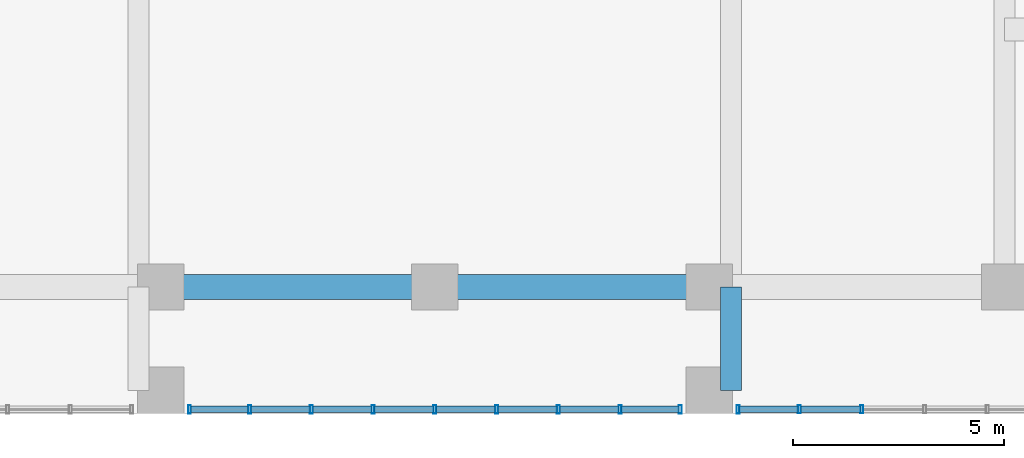
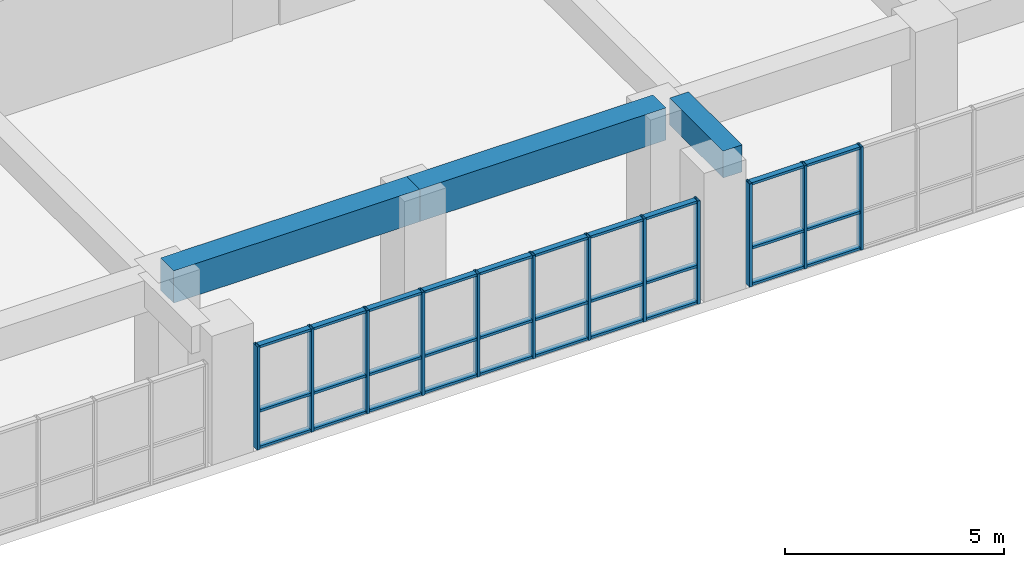
# One storey, part 6 of 30: 42 members, 3 beams, 2 elements without a shape of their own.
"""IFC4 building model written with IfcOpenShell, lengths in metres."""

from ifc_helpers import new_model, si_unit, direction, frame, origin, origin_2d, place, context, subcontext, project, spatial, rectangle, hollow_rectangle, extrude, source, transform, mapped, material, layer, layer_set, material_profile, profile_set, type_object, element, aggregate, save


model = new_model("IFC4")

# Units and contexts
model_context = context("Model", 3, precision=1e-05, world=origin(), true_north=direction((0.0, 1.0)))
body_context = subcontext(model_context, "Body", "Model", "MODEL_VIEW")
ifc_project = project(units=[si_unit("LENGTHUNIT", "METRE"), si_unit("AREAUNIT", "SQUARE_METRE"), si_unit("VOLUMEUNIT", "CUBIC_METRE"), si_unit("PLANEANGLEUNIT", "RADIAN"), si_unit("MASSUNIT", "GRAM", prefix="KILO")], contexts=[model_context])

# Site, building, storey
site_placement = place(None, origin())
site = spatial("IfcSite", under=ifc_project, at=site_placement, CompositionType="ELEMENT")
building_placement = place(site_placement, origin())
building = spatial("IfcBuilding", under=site, at=building_placement, Name="Saelheon Loggia Tower", CompositionType="ELEMENT")
storey_placement = place(building_placement, frame((0.0, 0.0, 11.39990234375)))
storey = spatial("IfcBuildingStorey", under=building, at=storey_placement, Name="L03", CompositionType="ELEMENT", Elevation=11.39990234375)

# Beams
ifc_material_1 = material(Name="Concrete C50/60", Category="concrete")
ifc_material_profile_1 = material_profile(ifc_material_1, rectangle(XDim=0.60009765625, YDim=0.89990234375, at=origin_2d()), Name="RC-600x900")
ifc_profile_set_1 = profile_set([ifc_material_profile_1], Name="Concrete C50/60")
beam_type_1 = type_object("IfcBeamType", Name="Beam_MainGirder_RC600x900", PredefinedType="BEAM", material=ifc_profile_set_1)
shared_shape_1 = source(origin(), body_context, "Body", "SweptSolid", [
    extrude(rectangle(XDim=0.60009765625, YDim=0.89990234375, at=origin_2d()), origin(), (0.0, 0.0, 1.0), 6.5),
])
for number, where, z_axis, x_axis, name in (
    (1, (31.5, 3.0, 3.150146484375), (1.0, 0.0, 0.0), (0.0, 1.0, 0.0), "BM-L03-EW-3-4"),
    (2, (38.0, 3.0, 3.150146484375), (1.0, 0.0, 0.0), (0.0, 1.0, 0.0), "BM-L03-EW-3-5"),
):
    element("IfcBeam", number, at=place(storey_placement, frame(where, z_axis=z_axis, x_axis=x_axis)), inside=storey, type_object=beam_type_1, Name=name, PredefinedType="BEAM", context=body_context, shape_type="MappedRepresentation", body=[
        mapped(shared_shape_1, transform((0.0, 0.0, 0.0), scale=1.0)),
    ])
ifc_material_2 = material(Name="Concrete C45/55", Category="concrete")
ifc_material_profile_2 = material_profile(ifc_material_2, rectangle(XDim=0.5, YDim=0.75, at=origin_2d()), Name="RC-500x750")
ifc_profile_set_2 = profile_set([ifc_material_profile_2], Name="Concrete C45/55")
beam_type_2 = type_object("IfcBeamType", Name="Beam_FloorGirder_RC500x750", PredefinedType="BEAM", material=ifc_profile_set_2)
shared_shape_2 = source(origin(), body_context, "Body", "SweptSolid", [
    extrude(rectangle(XDim=0.5, YDim=0.75, at=origin_2d()), origin(), (0.0, 0.0, 1.0), 2.449951171875),
])
beam_placement = place(storey_placement, frame((45.02001953125, 0.550048828125, 3.22509765625), z_axis=(0.0, 1.0, 0.0), x_axis=(-1.0, 0.0, 0.0)))
element("IfcBeam", 3, at=beam_placement, inside=storey, type_object=beam_type_2, Name="BM-L03-NS-45-1", PredefinedType="BEAM", context=body_context, shape_type="MappedRepresentation", body=[
    mapped(shared_shape_2, transform((0.0, 0.0, 0.0), scale=1.0)),
])

# Curtain wall, members
ifc_material_3 = material(Name="Aluminium 6063-T6 and Low-E IGU", Category="aluminium")
ifc_layer = layer(ifc_material_3, 0.179931640625)
ifc_layer_set = layer_set([ifc_layer], Name="Aluminium 6063-T6 and Low-E IGU")
curtain_wall_type = type_object("IfcCurtainWallType", Name="CW_PodiumClinic", PredefinedType="NOTDEFINED", material=ifc_layer_set)
curtain_wall_1_placement = place(storey_placement, origin())
curtain_wall_1 = element("IfcCurtainWall", 4, at=curtain_wall_1_placement, inside=storey, type_object=curtain_wall_type, Name="L03 South Clinic Curtain Wall 2", PredefinedType="NOTDEFINED")
ifc_material_4 = material(Name="Anodised Aluminium 6063-T6", Category="aluminium")
ifc_material_profile_3 = material_profile(ifc_material_4, hollow_rectangle(XDim=0.070068359375, YDim=0.199951171875, WallThickness=0.0048828125, at=origin_2d()), Name="RHS-200x70x5")
ifc_profile_set_3 = profile_set([ifc_material_profile_3], Name="Anodised Aluminium 6063-T6")
member_type_1 = type_object("IfcMemberType", Name="CW_PodiumClinic_Mullion", PredefinedType="MULLION", material=ifc_profile_set_3)
shared_shape_3 = source(origin(), body_context, "Body", "SweptSolid", [
    extrude(hollow_rectangle(XDim=0.070068359375, YDim=0.199951171875, WallThickness=0.0048828125, at=origin_2d()), origin(), (0.0, 0.0, 1.0), 2.880126953125),
])
member_1_placement = place(storey_placement, frame((32.18505859375, 0.10009765625, 0.0), z_axis=(0.0, 0.0, 1.0), x_axis=(1.0, 0.0, 0.0)))
member_1 = element("IfcMember", 5, at=member_1_placement, type_object=member_type_1, Name="CW1 mullion 1", PredefinedType="MULLION", context=body_context, shape_type="MappedRepresentation", body=[
    mapped(shared_shape_3, transform((0.0, 0.0, 0.0), scale=1.0)),
])
member_2_placement = place(storey_placement, frame((33.612548828125, 0.10009765625, 0.0), z_axis=(0.0, 0.0, 1.0), x_axis=(1.0, 0.0, 0.0)))
member_2 = element("IfcMember", 6, at=member_2_placement, type_object=member_type_1, Name="CW1 mullion 2", PredefinedType="MULLION", context=body_context, shape_type="MappedRepresentation", body=[
    mapped(shared_shape_3, transform((0.0, 0.0, 0.0), scale=1.0)),
])
member_3_placement = place(storey_placement, frame((35.074951171875, 0.10009765625, 0.0), z_axis=(0.0, 0.0, 1.0), x_axis=(1.0, 0.0, 0.0)))
member_3 = element("IfcMember", 7, at=member_3_placement, type_object=member_type_1, Name="CW1 mullion 3", PredefinedType="MULLION", context=body_context, shape_type="MappedRepresentation", body=[
    mapped(shared_shape_3, transform((0.0, 0.0, 0.0), scale=1.0)),
])
member_4_placement = place(storey_placement, frame((36.53759765625, 0.10009765625, 0.0), z_axis=(0.0, 0.0, 1.0), x_axis=(1.0, 0.0, 0.0)))
member_4 = element("IfcMember", 8, at=member_4_placement, type_object=member_type_1, Name="CW1 mullion 4", PredefinedType="MULLION", context=body_context, shape_type="MappedRepresentation", body=[
    mapped(shared_shape_3, transform((0.0, 0.0, 0.0), scale=1.0)),
])
member_5_placement = place(storey_placement, frame((38.0, 0.10009765625, 0.0), z_axis=(0.0, 0.0, 1.0), x_axis=(1.0, 0.0, 0.0)))
member_5 = element("IfcMember", 9, at=member_5_placement, type_object=member_type_1, Name="CW1 mullion 5", PredefinedType="MULLION", context=body_context, shape_type="MappedRepresentation", body=[
    mapped(shared_shape_3, transform((0.0, 0.0, 0.0), scale=1.0)),
])
member_6_placement = place(storey_placement, frame((39.46240234375, 0.10009765625, 0.0), z_axis=(0.0, 0.0, 1.0), x_axis=(1.0, 0.0, 0.0)))
member_6 = element("IfcMember", 10, at=member_6_placement, type_object=member_type_1, Name="CW1 mullion 6", PredefinedType="MULLION", context=body_context, shape_type="MappedRepresentation", body=[
    mapped(shared_shape_3, transform((0.0, 0.0, 0.0), scale=1.0)),
])
member_7_placement = place(storey_placement, frame((40.925048828125, 0.10009765625, 0.0), z_axis=(0.0, 0.0, 1.0), x_axis=(1.0, 0.0, 0.0)))
member_7 = element("IfcMember", 11, at=member_7_placement, type_object=member_type_1, Name="CW1 mullion 7", PredefinedType="MULLION", context=body_context, shape_type="MappedRepresentation", body=[
    mapped(shared_shape_3, transform((0.0, 0.0, 0.0), scale=1.0)),
])
member_8_placement = place(storey_placement, frame((42.387451171875, 0.10009765625, 0.0), z_axis=(0.0, 0.0, 1.0), x_axis=(1.0, 0.0, 0.0)))
member_8 = element("IfcMember", 12, at=member_8_placement, type_object=member_type_1, Name="CW1 mullion 8", PredefinedType="MULLION", context=body_context, shape_type="MappedRepresentation", body=[
    mapped(shared_shape_3, transform((0.0, 0.0, 0.0), scale=1.0)),
])
member_9_placement = place(storey_placement, frame((43.81494140625, 0.10009765625, 0.0), z_axis=(0.0, 0.0, 1.0), x_axis=(1.0, 0.0, 0.0)))
member_9 = element("IfcMember", 13, at=member_9_placement, type_object=member_type_1, Name="CW1 mullion 9", PredefinedType="MULLION", context=body_context, shape_type="MappedRepresentation", body=[
    mapped(shared_shape_3, transform((0.0, 0.0, 0.0), scale=1.0)),
])

curtain_wall_2_placement = place(storey_placement, origin())
curtain_wall_2 = element("IfcCurtainWall", 14, at=curtain_wall_2_placement, inside=storey, type_object=curtain_wall_type, Name="L03 South Clinic Curtain Wall 3", PredefinedType="NOTDEFINED")
member_10_placement = place(storey_placement, frame((45.18505859375, 0.10009765625, 0.0), z_axis=(0.0, 0.0, 1.0), x_axis=(1.0, 0.0, 0.0)))
member_10 = element("IfcMember", 15, at=member_10_placement, type_object=member_type_1, Name="CW1 mullion 1", PredefinedType="MULLION", context=body_context, shape_type="MappedRepresentation", body=[
    mapped(shared_shape_3, transform((0.0, 0.0, 0.0), scale=1.0)),
])
member_11_placement = place(storey_placement, frame((46.635009765625, 0.10009765625, 0.0), z_axis=(0.0, 0.0, 1.0), x_axis=(1.0, 0.0, 0.0)))
member_11 = element("IfcMember", 16, at=member_11_placement, type_object=member_type_1, Name="CW1 mullion 2", PredefinedType="MULLION", context=body_context, shape_type="MappedRepresentation", body=[
    mapped(shared_shape_3, transform((0.0, 0.0, 0.0), scale=1.0)),
])
member_12_placement = place(storey_placement, frame((48.1201171875, 0.10009765625, 0.0), z_axis=(0.0, 0.0, 1.0), x_axis=(1.0, 0.0, 0.0)))
member_12 = element("IfcMember", 17, at=member_12_placement, type_object=member_type_1, Name="CW1 mullion 3", PredefinedType="MULLION", context=body_context, shape_type="MappedRepresentation", body=[
    mapped(shared_shape_3, transform((0.0, 0.0, 0.0), scale=1.0)),
])
ifc_material_profile_4 = material_profile(ifc_material_4, hollow_rectangle(XDim=0.070068359375, YDim=0.14990234375, WallThickness=0.0048828125, at=origin_2d()), Name="RHS-150x70x5")
ifc_profile_set_4 = profile_set([ifc_material_profile_4], Name="Anodised Aluminium 6063-T6")
member_type_2 = type_object("IfcMemberType", Name="CW_PodiumClinic_Transom", PredefinedType="USERDEFINED", material=ifc_profile_set_4)
shared_shape_4 = source(origin(), body_context, "Body", "SweptSolid", [
    extrude(hollow_rectangle(XDim=0.070068359375, YDim=0.14990234375, WallThickness=0.0048828125, at=origin_2d()), origin(), (0.0, 0.0, 1.0), 1.4150390625),
])
member_13_placement = place(storey_placement, frame((46.669921875, 0.10009765625, 0.03515625), z_axis=(1.0, 0.0, 0.0), x_axis=(0.0, 0.0, 1.0)))
member_13 = element("IfcMember", 18, at=member_13_placement, type_object=member_type_2, Name="CW1 transom 2.1", ObjectType="TRANSOM", PredefinedType="USERDEFINED", context=body_context, shape_type="MappedRepresentation", body=[
    mapped(shared_shape_4, transform((0.0, 0.0, 0.0), scale=1.0)),
])
member_14_placement = place(storey_placement, frame((46.669921875, 0.10009765625, 1.050048828125), z_axis=(1.0, 0.0, 0.0), x_axis=(0.0, 0.0, 1.0)))
member_14 = element("IfcMember", 19, at=member_14_placement, type_object=member_type_2, Name="CW1 transom 2.2", ObjectType="TRANSOM", PredefinedType="USERDEFINED", context=body_context, shape_type="MappedRepresentation", body=[
    mapped(shared_shape_4, transform((0.0, 0.0, 0.0), scale=1.0)),
])
member_15_placement = place(storey_placement, frame((46.669921875, 0.10009765625, 2.84521484375), z_axis=(1.0, 0.0, 0.0), x_axis=(0.0, 0.0, 1.0)))
member_15 = element("IfcMember", 20, at=member_15_placement, type_object=member_type_2, Name="CW1 transom 2.3", ObjectType="TRANSOM", PredefinedType="USERDEFINED", context=body_context, shape_type="MappedRepresentation", body=[
    mapped(shared_shape_4, transform((0.0, 0.0, 0.0), scale=1.0)),
])
shared_shape_5 = source(origin(), body_context, "Body", "SweptSolid", [
    extrude(hollow_rectangle(XDim=0.070068359375, YDim=0.14990234375, WallThickness=0.0048828125, at=origin_2d()), origin(), (0.0, 0.0, 1.0), 1.380126953125),
])
member_16_placement = place(storey_placement, frame((45.219970703125, 0.10009765625, 0.03515625), z_axis=(1.0, 0.0, 0.0), x_axis=(0.0, 0.0, 1.0)))
member_16 = element("IfcMember", 21, at=member_16_placement, type_object=member_type_2, Name="CW1 transom 1.1", ObjectType="TRANSOM", PredefinedType="USERDEFINED", context=body_context, shape_type="MappedRepresentation", body=[
    mapped(shared_shape_5, transform((0.0, 0.0, 0.0), scale=1.0)),
])
member_17_placement = place(storey_placement, frame((45.219970703125, 0.10009765625, 1.050048828125), z_axis=(1.0, 0.0, 0.0), x_axis=(0.0, 0.0, 1.0)))
member_17 = element("IfcMember", 22, at=member_17_placement, type_object=member_type_2, Name="CW1 transom 1.2", ObjectType="TRANSOM", PredefinedType="USERDEFINED", context=body_context, shape_type="MappedRepresentation", body=[
    mapped(shared_shape_5, transform((0.0, 0.0, 0.0), scale=1.0)),
])
member_18_placement = place(storey_placement, frame((45.219970703125, 0.10009765625, 2.84521484375), z_axis=(1.0, 0.0, 0.0), x_axis=(0.0, 0.0, 1.0)))
member_18 = element("IfcMember", 23, at=member_18_placement, type_object=member_type_2, Name="CW1 transom 1.3", ObjectType="TRANSOM", PredefinedType="USERDEFINED", context=body_context, shape_type="MappedRepresentation", body=[
    mapped(shared_shape_5, transform((0.0, 0.0, 0.0), scale=1.0)),
])
aggregate(curtain_wall_2, [member_10, member_11, member_12, member_16, member_17, member_18, member_13, member_14, member_15])

# Member
shared_shape_6 = source(origin(), body_context, "Body", "SweptSolid", [
    extrude(hollow_rectangle(XDim=0.070068359375, YDim=0.14990234375, WallThickness=0.0048828125, at=origin_2d()), origin(), (0.0, 0.0, 1.0), 1.357421875),
])
member_19_placement = place(storey_placement, frame((32.219970703125, 0.10009765625, 0.03515625), z_axis=(1.0, 0.0, 0.0), x_axis=(0.0, 0.0, 1.0)))
member_19 = element("IfcMember", 24, at=member_19_placement, type_object=member_type_2, Name="CW1 transom 1.1", ObjectType="TRANSOM", PredefinedType="USERDEFINED", context=body_context, shape_type="MappedRepresentation", body=[
    mapped(shared_shape_6, transform((0.0, 0.0, 0.0), scale=1.0)),
])

member_20_placement = place(storey_placement, frame((32.219970703125, 0.10009765625, 1.050048828125), z_axis=(1.0, 0.0, 0.0), x_axis=(0.0, 0.0, 1.0)))
member_20 = element("IfcMember", 25, at=member_20_placement, type_object=member_type_2, Name="CW1 transom 1.2", ObjectType="TRANSOM", PredefinedType="USERDEFINED", context=body_context, shape_type="MappedRepresentation", body=[
    mapped(shared_shape_6, transform((0.0, 0.0, 0.0), scale=1.0)),
])

member_21_placement = place(storey_placement, frame((32.219970703125, 0.10009765625, 2.84521484375), z_axis=(1.0, 0.0, 0.0), x_axis=(0.0, 0.0, 1.0)))
member_21 = element("IfcMember", 26, at=member_21_placement, type_object=member_type_2, Name="CW1 transom 1.3", ObjectType="TRANSOM", PredefinedType="USERDEFINED", context=body_context, shape_type="MappedRepresentation", body=[
    mapped(shared_shape_6, transform((0.0, 0.0, 0.0), scale=1.0)),
])

member_22_placement = place(storey_placement, frame((42.422607421875, 0.10009765625, 0.03515625), z_axis=(1.0, 0.0, 0.0), x_axis=(0.0, 0.0, 1.0)))
member_22 = element("IfcMember", 27, at=member_22_placement, type_object=member_type_2, Name="CW1 transom 8.1", ObjectType="TRANSOM", PredefinedType="USERDEFINED", context=body_context, shape_type="MappedRepresentation", body=[
    mapped(shared_shape_6, transform((0.0, 0.0, 0.0), scale=1.0)),
])

member_23_placement = place(storey_placement, frame((42.422607421875, 0.10009765625, 1.050048828125), z_axis=(1.0, 0.0, 0.0), x_axis=(0.0, 0.0, 1.0)))
member_23 = element("IfcMember", 28, at=member_23_placement, type_object=member_type_2, Name="CW1 transom 8.2", ObjectType="TRANSOM", PredefinedType="USERDEFINED", context=body_context, shape_type="MappedRepresentation", body=[
    mapped(shared_shape_6, transform((0.0, 0.0, 0.0), scale=1.0)),
])

member_24_placement = place(storey_placement, frame((42.422607421875, 0.10009765625, 2.84521484375), z_axis=(1.0, 0.0, 0.0), x_axis=(0.0, 0.0, 1.0)))
member_24 = element("IfcMember", 29, at=member_24_placement, type_object=member_type_2, Name="CW1 transom 8.3", ObjectType="TRANSOM", PredefinedType="USERDEFINED", context=body_context, shape_type="MappedRepresentation", body=[
    mapped(shared_shape_6, transform((0.0, 0.0, 0.0), scale=1.0)),
])

shared_shape_7 = source(origin(), body_context, "Body", "SweptSolid", [
    extrude(hollow_rectangle(XDim=0.070068359375, YDim=0.14990234375, WallThickness=0.0048828125, at=origin_2d()), origin(), (0.0, 0.0, 1.0), 1.392578125),
])
member_25_placement = place(storey_placement, frame((33.6474609375, 0.10009765625, 0.03515625), z_axis=(1.0, 0.0, 0.0), x_axis=(0.0, 0.0, 1.0)))
member_25 = element("IfcMember", 30, at=member_25_placement, type_object=member_type_2, Name="CW1 transom 2.1", ObjectType="TRANSOM", PredefinedType="USERDEFINED", context=body_context, shape_type="MappedRepresentation", body=[
    mapped(shared_shape_7, transform((0.0, 0.0, 0.0), scale=1.0)),
])

member_26_placement = place(storey_placement, frame((33.6474609375, 0.10009765625, 1.050048828125), z_axis=(1.0, 0.0, 0.0), x_axis=(0.0, 0.0, 1.0)))
member_26 = element("IfcMember", 31, at=member_26_placement, type_object=member_type_2, Name="CW1 transom 2.2", ObjectType="TRANSOM", PredefinedType="USERDEFINED", context=body_context, shape_type="MappedRepresentation", body=[
    mapped(shared_shape_7, transform((0.0, 0.0, 0.0), scale=1.0)),
])

member_27_placement = place(storey_placement, frame((33.6474609375, 0.10009765625, 2.84521484375), z_axis=(1.0, 0.0, 0.0), x_axis=(0.0, 0.0, 1.0)))
member_27 = element("IfcMember", 32, at=member_27_placement, type_object=member_type_2, Name="CW1 transom 2.3", ObjectType="TRANSOM", PredefinedType="USERDEFINED", context=body_context, shape_type="MappedRepresentation", body=[
    mapped(shared_shape_7, transform((0.0, 0.0, 0.0), scale=1.0)),
])

member_28_placement = place(storey_placement, frame((36.572509765625, 0.10009765625, 0.03515625), z_axis=(1.0, 0.0, 0.0), x_axis=(0.0, 0.0, 1.0)))
member_28 = element("IfcMember", 33, at=member_28_placement, type_object=member_type_2, Name="CW1 transom 4.1", ObjectType="TRANSOM", PredefinedType="USERDEFINED", context=body_context, shape_type="MappedRepresentation", body=[
    mapped(shared_shape_7, transform((0.0, 0.0, 0.0), scale=1.0)),
])

member_29_placement = place(storey_placement, frame((36.572509765625, 0.10009765625, 1.050048828125), z_axis=(1.0, 0.0, 0.0), x_axis=(0.0, 0.0, 1.0)))
member_29 = element("IfcMember", 34, at=member_29_placement, type_object=member_type_2, Name="CW1 transom 4.2", ObjectType="TRANSOM", PredefinedType="USERDEFINED", context=body_context, shape_type="MappedRepresentation", body=[
    mapped(shared_shape_7, transform((0.0, 0.0, 0.0), scale=1.0)),
])

member_30_placement = place(storey_placement, frame((36.572509765625, 0.10009765625, 2.84521484375), z_axis=(1.0, 0.0, 0.0), x_axis=(0.0, 0.0, 1.0)))
member_30 = element("IfcMember", 35, at=member_30_placement, type_object=member_type_2, Name="CW1 transom 4.3", ObjectType="TRANSOM", PredefinedType="USERDEFINED", context=body_context, shape_type="MappedRepresentation", body=[
    mapped(shared_shape_7, transform((0.0, 0.0, 0.0), scale=1.0)),
])

member_31_placement = place(storey_placement, frame((38.034912109375, 0.10009765625, 0.03515625), z_axis=(1.0, 0.0, 0.0), x_axis=(0.0, 0.0, 1.0)))
member_31 = element("IfcMember", 36, at=member_31_placement, type_object=member_type_2, Name="CW1 transom 5.1", ObjectType="TRANSOM", PredefinedType="USERDEFINED", context=body_context, shape_type="MappedRepresentation", body=[
    mapped(shared_shape_7, transform((0.0, 0.0, 0.0), scale=1.0)),
])

member_32_placement = place(storey_placement, frame((38.034912109375, 0.10009765625, 1.050048828125), z_axis=(1.0, 0.0, 0.0), x_axis=(0.0, 0.0, 1.0)))
member_32 = element("IfcMember", 37, at=member_32_placement, type_object=member_type_2, Name="CW1 transom 5.2", ObjectType="TRANSOM", PredefinedType="USERDEFINED", context=body_context, shape_type="MappedRepresentation", body=[
    mapped(shared_shape_7, transform((0.0, 0.0, 0.0), scale=1.0)),
])

member_33_placement = place(storey_placement, frame((38.034912109375, 0.10009765625, 2.84521484375), z_axis=(1.0, 0.0, 0.0), x_axis=(0.0, 0.0, 1.0)))
member_33 = element("IfcMember", 38, at=member_33_placement, type_object=member_type_2, Name="CW1 transom 5.3", ObjectType="TRANSOM", PredefinedType="USERDEFINED", context=body_context, shape_type="MappedRepresentation", body=[
    mapped(shared_shape_7, transform((0.0, 0.0, 0.0), scale=1.0)),
])

member_34_placement = place(storey_placement, frame((40.9599609375, 0.10009765625, 0.03515625), z_axis=(1.0, 0.0, 0.0), x_axis=(0.0, 0.0, 1.0)))
member_34 = element("IfcMember", 39, at=member_34_placement, type_object=member_type_2, Name="CW1 transom 7.1", ObjectType="TRANSOM", PredefinedType="USERDEFINED", context=body_context, shape_type="MappedRepresentation", body=[
    mapped(shared_shape_7, transform((0.0, 0.0, 0.0), scale=1.0)),
])

member_35_placement = place(storey_placement, frame((40.9599609375, 0.10009765625, 1.050048828125), z_axis=(1.0, 0.0, 0.0), x_axis=(0.0, 0.0, 1.0)))
member_35 = element("IfcMember", 40, at=member_35_placement, type_object=member_type_2, Name="CW1 transom 7.2", ObjectType="TRANSOM", PredefinedType="USERDEFINED", context=body_context, shape_type="MappedRepresentation", body=[
    mapped(shared_shape_7, transform((0.0, 0.0, 0.0), scale=1.0)),
])

member_36_placement = place(storey_placement, frame((40.9599609375, 0.10009765625, 2.84521484375), z_axis=(1.0, 0.0, 0.0), x_axis=(0.0, 0.0, 1.0)))
member_36 = element("IfcMember", 41, at=member_36_placement, type_object=member_type_2, Name="CW1 transom 7.3", ObjectType="TRANSOM", PredefinedType="USERDEFINED", context=body_context, shape_type="MappedRepresentation", body=[
    mapped(shared_shape_7, transform((0.0, 0.0, 0.0), scale=1.0)),
])

shared_shape_8 = source(origin(), body_context, "Body", "SweptSolid", [
    extrude(hollow_rectangle(XDim=0.070068359375, YDim=0.14990234375, WallThickness=0.0048828125, at=origin_2d()), origin(), (0.0, 0.0, 1.0), 1.392333984375),
])
member_37_placement = place(storey_placement, frame((35.110107421875, 0.10009765625, 0.03515625), z_axis=(1.0, 0.0, 0.0), x_axis=(0.0, 0.0, 1.0)))
member_37 = element("IfcMember", 42, at=member_37_placement, type_object=member_type_2, Name="CW1 transom 3.1", ObjectType="TRANSOM", PredefinedType="USERDEFINED", context=body_context, shape_type="MappedRepresentation", body=[
    mapped(shared_shape_8, transform((0.0, 0.0, 0.0), scale=1.0)),
])

member_38_placement = place(storey_placement, frame((35.110107421875, 0.10009765625, 1.050048828125), z_axis=(1.0, 0.0, 0.0), x_axis=(0.0, 0.0, 1.0)))
member_38 = element("IfcMember", 43, at=member_38_placement, type_object=member_type_2, Name="CW1 transom 3.2", ObjectType="TRANSOM", PredefinedType="USERDEFINED", context=body_context, shape_type="MappedRepresentation", body=[
    mapped(shared_shape_8, transform((0.0, 0.0, 0.0), scale=1.0)),
])

member_39_placement = place(storey_placement, frame((35.110107421875, 0.10009765625, 2.84521484375), z_axis=(1.0, 0.0, 0.0), x_axis=(0.0, 0.0, 1.0)))
member_39 = element("IfcMember", 44, at=member_39_placement, type_object=member_type_2, Name="CW1 transom 3.3", ObjectType="TRANSOM", PredefinedType="USERDEFINED", context=body_context, shape_type="MappedRepresentation", body=[
    mapped(shared_shape_8, transform((0.0, 0.0, 0.0), scale=1.0)),
])

member_40_placement = place(storey_placement, frame((39.49755859375, 0.10009765625, 0.03515625), z_axis=(1.0, 0.0, 0.0), x_axis=(0.0, 0.0, 1.0)))
member_40 = element("IfcMember", 45, at=member_40_placement, type_object=member_type_2, Name="CW1 transom 6.1", ObjectType="TRANSOM", PredefinedType="USERDEFINED", context=body_context, shape_type="MappedRepresentation", body=[
    mapped(shared_shape_8, transform((0.0, 0.0, 0.0), scale=1.0)),
])

member_41_placement = place(storey_placement, frame((39.49755859375, 0.10009765625, 1.050048828125), z_axis=(1.0, 0.0, 0.0), x_axis=(0.0, 0.0, 1.0)))
member_41 = element("IfcMember", 46, at=member_41_placement, type_object=member_type_2, Name="CW1 transom 6.2", ObjectType="TRANSOM", PredefinedType="USERDEFINED", context=body_context, shape_type="MappedRepresentation", body=[
    mapped(shared_shape_8, transform((0.0, 0.0, 0.0), scale=1.0)),
])

member_42_placement = place(storey_placement, frame((39.49755859375, 0.10009765625, 2.84521484375), z_axis=(1.0, 0.0, 0.0), x_axis=(0.0, 0.0, 1.0)))
member_42 = element("IfcMember", 47, at=member_42_placement, type_object=member_type_2, Name="CW1 transom 6.3", ObjectType="TRANSOM", PredefinedType="USERDEFINED", context=body_context, shape_type="MappedRepresentation", body=[
    mapped(shared_shape_8, transform((0.0, 0.0, 0.0), scale=1.0)),
])

aggregate(curtain_wall_1, [member_1, member_2, member_3, member_4, member_5, member_6, member_7, member_8, member_9, member_19, member_20, member_21, member_25, member_26, member_27, member_37, member_38, member_39, member_28, member_29, member_30, member_31, member_32, member_33, member_40, member_41, member_42, member_34, member_35, member_36, member_22, member_23, member_24])

save(model, "model.ifc")
